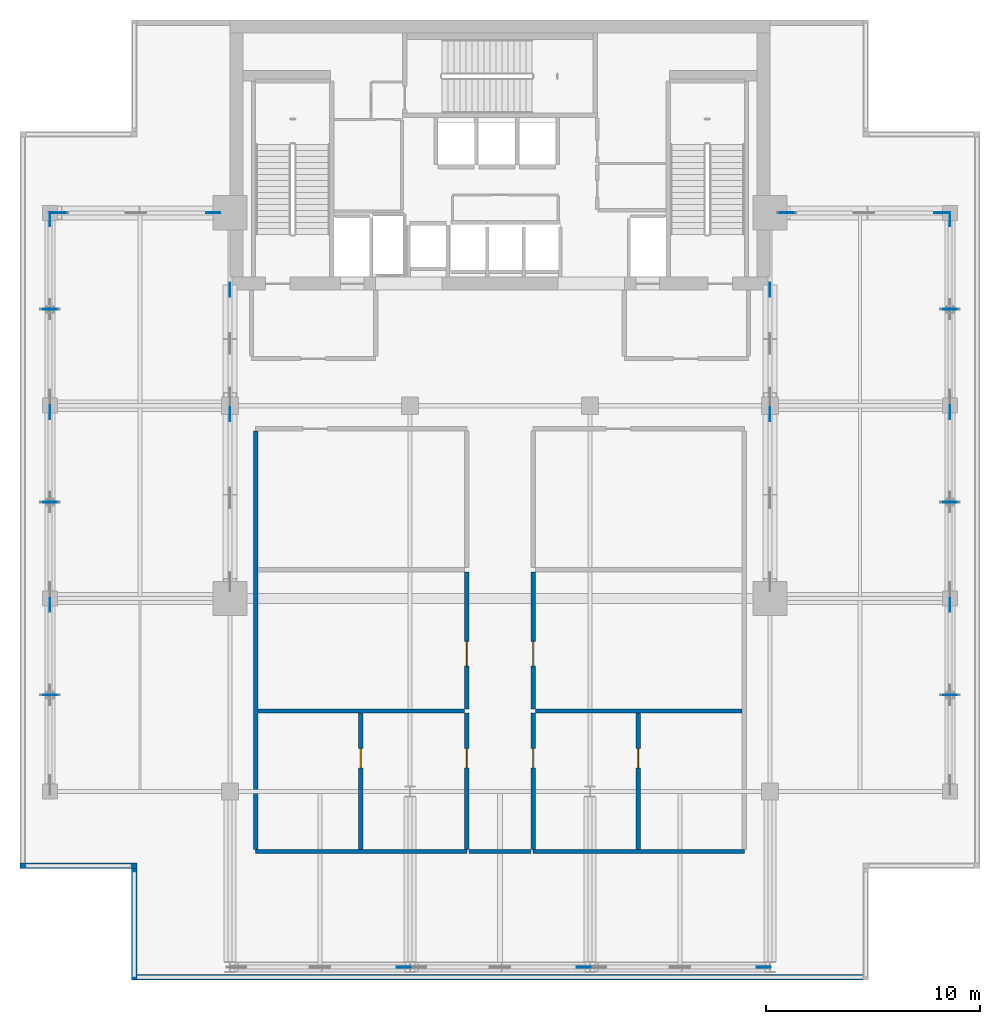
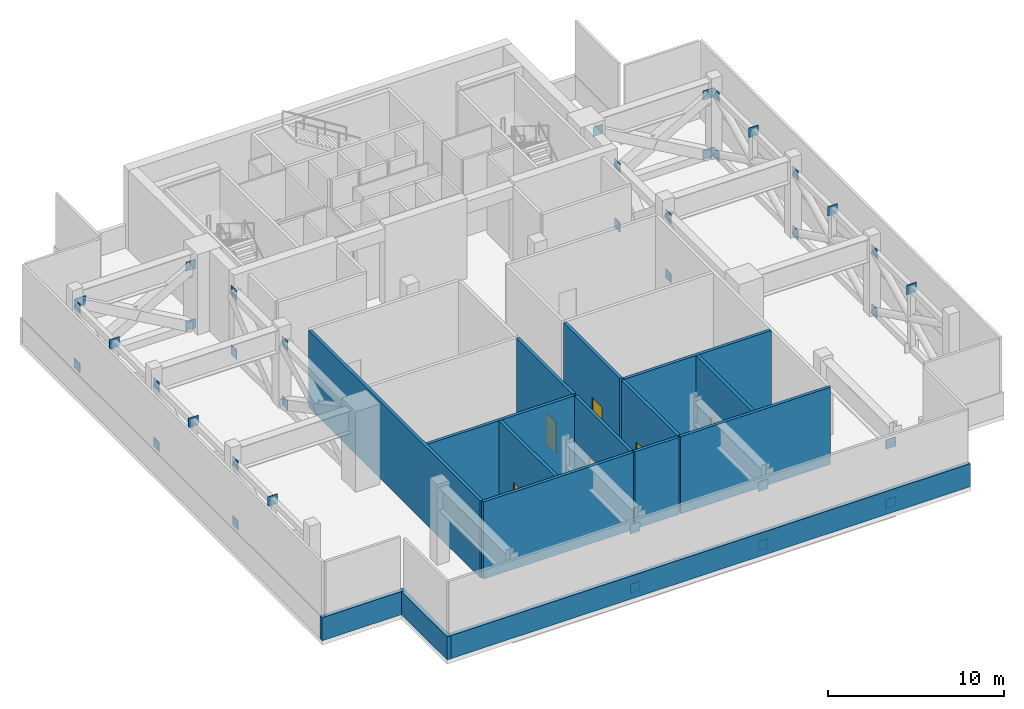
# One storey, part 5 of 11: 38 plates, 15 walls, 6 doors, 6 openings.
"""IFC4 building model written with IfcOpenShell, lengths in metres."""

from ifc_helpers import new_model, si_unit, direction, frame, frame_2d, origin, origin_2d, place, context, subcontext, project, spatial, rectangle, extrude, material, layer, layer_set, type_object, element, fill, save


model = new_model("IFC4")

# Units and contexts
model_context = context("Model", 3, precision=1e-05, world=origin(), true_north=direction((0.0, 1.0)))
body_context = subcontext(model_context, "Body", "Model", "MODEL_VIEW")
ifc_project = project(units=[si_unit("LENGTHUNIT", "METRE"), si_unit("AREAUNIT", "SQUARE_METRE"), si_unit("VOLUMEUNIT", "CUBIC_METRE"), si_unit("PLANEANGLEUNIT", "RADIAN"), si_unit("MASSUNIT", "GRAM", prefix="KILO")], contexts=[model_context])

# Site, building, storey
site_placement = place(None, origin())
site = spatial("IfcSite", under=ifc_project, at=site_placement, CompositionType="ELEMENT")
building_placement = place(site_placement, origin())
building = spatial("IfcBuilding", under=site, at=building_placement, Name="Maruvema Waterfront Hotel and Observation Tower", CompositionType="ELEMENT")
storey_placement = place(building_placement, frame((0.0, 0.0, 316.39990234375)))
storey = spatial("IfcBuildingStorey", under=building, at=storey_placement, Name="L78", CompositionType="ELEMENT", Elevation=316.39990234375)

# Plates
ifc_material_1 = material(Name="Steel ABNT NBR 7007 AR 415 (ASTM A572 Grade 50)", Category="steel")
ifc_layer_1 = layer(ifc_material_1, 0.034912109375, Name="Hollow Section Sealed End Cap Plate 35 mm")
ifc_layer_set_1 = layer_set([ifc_layer_1], Name="Steel ABNT NBR 7007 AR 415 (ASTM A572 Grade 50)")
plate_type = type_object("IfcPlateType", Name="Hollow Section Sealed End Cap Plate 35 mm", PredefinedType="USERDEFINED", material=ifc_layer_set_1)
for number, where, z_axis, x_axis, name in (
    (1, (25.199951171875, 35.60009765625, -0.074951171875), (0.0, 0.0, 1.0), (0.0, 1.0, 0.0), "L78 Outrigger Truss Bottom Chord W1 Node Plate 2"),
    (2, (25.199951171875, 35.60009765625, 4.05517578125), (0.0, 0.0, 1.0), (0.0, 1.0, 0.0), "L78 Outrigger Truss Top Chord W1 Node Plate 2"),
    (3, (25.199951171875, 41.419921875, -0.074951171875), (0.0, 0.0, 1.0), (0.0, 1.0, 0.0), "L78 Outrigger Truss Bottom Chord W2 Node Plate 2"),
    (4, (25.199951171875, 41.419921875, 4.05517578125), (0.0, 0.0, 1.0), (0.0, 1.0, 0.0), "L78 Outrigger Truss Top Chord W2 Node Plate 2"),
    (5, (50.39990234375, 35.60009765625, -0.074951171875), (0.0, 0.0, 1.0), (0.0, 1.0, 0.0), "L78 Outrigger Truss Bottom Chord E1 Node Plate 2"),
    (6, (50.39990234375, 35.60009765625, 4.05517578125), (0.0, 0.0, 1.0), (0.0, 1.0, 0.0), "L78 Outrigger Truss Top Chord E1 Node Plate 2"),
    (7, (50.39990234375, 41.419921875, -0.074951171875), (0.0, 0.0, 1.0), (0.0, 1.0, 0.0), "L78 Outrigger Truss Bottom Chord E2 Node Plate 2"),
    (8, (50.39990234375, 41.419921875, 4.05517578125), (0.0, 0.0, 1.0), (0.0, 1.0, 0.0), "L78 Outrigger Truss Top Chord E2 Node Plate 2"),
    (9, (24.419921875, 45.0, -0.074951171875), (0.0, 0.0, 1.0), (1.0, 0.0, 0.0), "L78 Outrigger Wing Bottom Chord W1 Node Plate 2"),
    (10, (24.419921875, 45.0, 4.05517578125), (0.0, 0.0, 1.0), (1.0, 0.0, 0.0), "L78 Outrigger Wing Diagonal W1 Continuous A Node Plate 2"),
    (11, (17.199951171875, 45.0, 4.05517578125), (0.0, 0.0, 1.0), (-1.0, 0.0, 0.0), "L78 Outrigger Wing Diagonal W1 Split Upper B2 Node Plate 2"),
    (12, (58.39990234375, 45.0, -0.074951171875), (0.0, 0.0, 1.0), (1.0, 0.0, 0.0), "L78 Outrigger Wing Bottom Chord E1 Node Plate 2"),
    (13, (58.39990234375, 45.0, 4.05517578125), (0.0, 0.0, 1.0), (1.0, 0.0, 0.0), "L78 Outrigger Wing Diagonal E1 Continuous A Node Plate 2"),
    (14, (51.179931640625, 45.0, 4.05517578125), (0.0, 0.0, 1.0), (-1.0, 0.0, 0.0), "L78 Outrigger Wing Diagonal E1 Split Upper B2 Node Plate 2"),
    (15, (16.800048828125, 26.699951171875, -0.074951171875), (0.0, 0.0, 1.0), (0.0, 1.0, 0.0), "L78 Perimeter Belt Truss Chord W1 Node Plate 2"),
    (16, (16.800048828125, 26.699951171875, 4.05517578125), (0.0, 0.0, 1.0), (0.0, 1.0, 0.0), "L78 Perimeter Belt Truss Top Chord W1 Node Plate 2"),
    (17, (16.800048828125, 22.5, 4.05517578125), (0.0, 0.0, 1.0), (1.0, 0.0, 0.0), "L78 Perimeter Belt Truss Post W1 Node Plate 2"),
    (18, (16.800048828125, 35.699951171875, -0.074951171875), (0.0, 0.0, 1.0), (0.0, 1.0, 0.0), "L78 Perimeter Belt Truss Chord W2 Node Plate 2"),
    (19, (16.800048828125, 35.699951171875, 4.05517578125), (0.0, 0.0, 1.0), (0.0, 1.0, 0.0), "L78 Perimeter Belt Truss Top Chord W2 Node Plate 2"),
    (20, (16.800048828125, 31.5, 4.05517578125), (0.0, 0.0, 1.0), (1.0, 0.0, 0.0), "L78 Perimeter Belt Truss Post W2 Node Plate 2"),
    (21, (16.800048828125, 44.699951171875, -0.074951171875), (0.0, 0.0, 1.0), (0.0, 1.0, 0.0), "L78 Perimeter Belt Truss Chord W3 Node Plate 2"),
    (22, (16.800048828125, 44.699951171875, 4.05517578125), (0.0, 0.0, 1.0), (0.0, 1.0, 0.0), "L78 Perimeter Belt Truss Top Chord W3 Node Plate 2"),
    (23, (16.800048828125, 40.5, 4.05517578125), (0.0, 0.0, 1.0), (1.0, 0.0, 0.0), "L78 Perimeter Belt Truss Post W3 Node Plate 2"),
    (24, (58.800048828125, 26.699951171875, -0.074951171875), (0.0, 0.0, 1.0), (0.0, 1.0, 0.0), "L78 Perimeter Belt Truss Chord E4 Node Plate 2"),
    (25, (58.800048828125, 26.699951171875, 4.05517578125), (0.0, 0.0, 1.0), (0.0, 1.0, 0.0), "L78 Perimeter Belt Truss Top Chord E4 Node Plate 2"),
    (26, (58.800048828125, 22.5, 4.05517578125), (0.0, 0.0, 1.0), (1.0, 0.0, 0.0), "L78 Perimeter Belt Truss Post E4 Node Plate 2"),
    (27, (58.800048828125, 35.699951171875, -0.074951171875), (0.0, 0.0, 1.0), (0.0, 1.0, 0.0), "L78 Perimeter Belt Truss Chord E5 Node Plate 2"),
    (28, (58.800048828125, 35.699951171875, 4.05517578125), (0.0, 0.0, 1.0), (0.0, 1.0, 0.0), "L78 Perimeter Belt Truss Top Chord E5 Node Plate 2"),
    (29, (58.800048828125, 31.5, 4.05517578125), (0.0, 0.0, 1.0), (1.0, 0.0, 0.0), "L78 Perimeter Belt Truss Post E5 Node Plate 2"),
    (30, (58.800048828125, 44.699951171875, -0.074951171875), (0.0, 0.0, 1.0), (0.0, 1.0, 0.0), "L78 Perimeter Belt Truss Chord E6 Node Plate 2"),
    (31, (58.800048828125, 44.699951171875, 4.05517578125), (0.0, 0.0, 1.0), (0.0, 1.0, 0.0), "L78 Perimeter Belt Truss Top Chord E6 Node Plate 2"),
    (32, (58.800048828125, 40.5, 4.05517578125), (0.0, 0.0, 1.0), (1.0, 0.0, 0.0), "L78 Perimeter Belt Truss Post E6 Node Plate 2"),
    (33, (33.300048828125, 9.800048828125, -0.074951171875), (0.0, 0.0, 1.0), (1.0, 0.0, 0.0), "L78 South Perimeter Belt Truss Chord 1 Node Plate 2"),
    (34, (33.300048828125, 9.800048828125, 4.05517578125), (0.0, 0.0, 1.0), (1.0, 0.0, 0.0), "L78 South Perimeter Belt Truss Top Chord 1 Node Plate 2"),
    (35, (41.699951171875, 9.800048828125, -0.074951171875), (0.0, 0.0, 1.0), (1.0, 0.0, 0.0), "L78 South Perimeter Belt Truss Chord 2 Node Plate 2"),
    (36, (41.699951171875, 9.800048828125, 4.05517578125), (0.0, 0.0, 1.0), (1.0, 0.0, 0.0), "L78 South Perimeter Belt Truss Top Chord 2 Node Plate 2"),
    (37, (50.10009765625, 9.800048828125, -0.074951171875), (0.0, 0.0, 1.0), (1.0, 0.0, 0.0), "L78 South Perimeter Belt Truss Chord 3 Node Plate 2"),
    (38, (50.10009765625, 9.800048828125, 4.05517578125), (0.0, 0.0, 1.0), (1.0, 0.0, 0.0), "L78 South Perimeter Belt Truss Top Chord 3 Node Plate 2"),
):
    element("IfcPlate", number, at=place(storey_placement, frame(where, z_axis=z_axis, x_axis=x_axis)), inside=storey, type_object=plate_type, Name=name, ObjectType="END_CAP_PLATE", PredefinedType="USERDEFINED", context=body_context, shape_type="SweptSolid", body=[
        extrude(rectangle(XDim=0.64990234375, YDim=0.034912109375, at=origin_2d()), origin(), (0.0, 0.0, 1.0), 0.64990234375),
    ])

# Walls
ifc_material_2 = material(Name="Precast concrete C45/55 with honed Pernambuco granite facing", Category="masonry")
ifc_layer_2 = layer(ifc_material_2, 0.260009765625, Name="Exterior Granite Clad Spandrel and Pier Wall 260 mm")
ifc_layer_set_2 = layer_set([ifc_layer_2], Name="Precast concrete C45/55 with honed Pernambuco granite facing")
wall_type_1 = type_object("IfcWallType", Name="Exterior Granite Clad Spandrel and Pier Wall 260 mm", PredefinedType="SOLIDWALL", material=ifc_layer_set_2)
wall_1_placement = place(storey_placement, frame((20.60009765625, 9.330078125, 0.0), z_axis=(0.0, 0.0, 1.0), x_axis=(1.0, 0.0, 0.0)))
element("IfcWall", 39, at=wall_1_placement, inside=storey, type_object=wall_type_1, Name="L78 Mechanical Perimeter Spandrel Wall 01", PredefinedType="SOLIDWALL", context=body_context, shape_type="SweptSolid", body=[
    extrude(rectangle(XDim=34.39990234375, YDim=0.260009765625, at=frame_2d((17.199951171875, 0.0))), origin(), (0.0, 0.0, 1.0), 1.60009765625),
])
wall_2_placement = place(storey_placement, frame((15.39990234375, 14.530029296875, 0.0), z_axis=(0.0, 0.0, 1.0), x_axis=(1.0, 0.0, 0.0)))
element("IfcWall", 40, at=wall_2_placement, inside=storey, type_object=wall_type_1, Name="L78 Mechanical Perimeter Spandrel Wall 11", PredefinedType="SOLIDWALL", context=body_context, shape_type="SweptSolid", body=[
    extrude(rectangle(XDim=5.460205078125, YDim=0.260009765625, at=frame_2d((2.72998046875, 0.0))), origin(), (0.0, 0.0, 1.0), 1.60009765625),
])
wall_3_placement = place(storey_placement, frame((20.72998046875, 14.39990234375, 0.0), z_axis=(0.0, 0.0, 1.0), x_axis=(0.0, -1.0, 0.0)))
element("IfcWall", 41, at=wall_3_placement, inside=storey, type_object=wall_type_1, Name="L78 Mechanical Perimeter Spandrel Wall 12", PredefinedType="SOLIDWALL", context=body_context, shape_type="SweptSolid", body=[
    extrude(rectangle(XDim=5.199951171875, YDim=0.260009765625, at=frame_2d((2.60009765625, 0.0))), origin(), (0.0, 0.0, 1.0), 1.60009765625),
])
ifc_material_3 = material(Name="Autoclaved cellular concrete blockwork", Category="masonry")
ifc_layer_3 = layer(ifc_material_3, 0.199951171875, Name="Fire Compartment Masonry Wall 200 mm")
ifc_layer_set_3 = layer_set([ifc_layer_3], Name="Autoclaved cellular concrete blockwork")
wall_type_2 = type_object("IfcWallType", Name="Fire Compartment Masonry Wall 200 mm", PredefinedType="PARTITIONING", material=ifc_layer_set_3)
wall_4_placement = place(storey_placement, frame((26.5, 21.75, 0.0), z_axis=(0.0, 0.0, 1.0), x_axis=(1.0, 0.0, 0.0)))
element("IfcWall", 42, at=wall_4_placement, inside=storey, type_object=wall_type_2, Name="L78 L78 West Plant Top 024", PredefinedType="PARTITIONING", context=body_context, shape_type="SweptSolid", body=[
    extrude(rectangle(XDim=9.64990234375, YDim=0.199951171875, at=frame_2d((4.824951171875, 0.0))), origin(), (0.0, 0.0, 1.0), 5.360107421875),
])
wall_5_placement = place(storey_placement, frame((26.39990234375, 15.199951171875, 0.0), z_axis=(0.0, 0.0, 1.0), x_axis=(1.0, 0.0, 0.0)))
element("IfcWall", 43, at=wall_5_placement, inside=storey, type_object=wall_type_2, Name="L78 L78 West S Wall 025", PredefinedType="PARTITIONING", context=body_context, shape_type="SweptSolid", body=[
    extrude(rectangle(XDim=9.85009765625, YDim=0.199951171875, at=frame_2d((4.925048828125, 0.0))), origin(), (0.0, 0.0, 1.0), 5.360107421875),
])
wall_6_placement = place(storey_placement, frame((26.39990234375, 15.300048828125, 0.0), z_axis=(0.0, 0.0, 1.0), x_axis=(0.0, 1.0, 0.0)))
element("IfcWall", 44, at=wall_6_placement, inside=storey, type_object=wall_type_2, Name="L78 L78 West Outer Wall 026", PredefinedType="PARTITIONING", context=body_context, shape_type="SweptSolid", body=[
    extrude(rectangle(XDim=19.52001953125, YDim=0.199951171875, at=frame_2d((9.760009765625, 0.0))), origin(), (0.0, 0.0, 1.0), 5.360107421875),
])

# Wall, opening, door
wall_7_placement = place(storey_placement, frame((36.25, 21.85009765625, 0.0), z_axis=(0.0, 0.0, 1.0), x_axis=(0.0, 1.0, 0.0)))
wall_7 = element("IfcWall", 45, at=wall_7_placement, inside=storey, type_object=wall_type_2, Name="L78 L78 West Spine Refuge 028", PredefinedType="PARTITIONING", context=body_context, shape_type="SweptSolid", body=[
    extrude(rectangle(XDim=6.39990234375, YDim=0.199951171875, at=frame_2d((3.199951171875, 0.0))), origin(), (0.0, 0.0, 1.0), 5.360107421875),
])
opening_1_placement = place(wall_7_placement, frame((2.0, 0.0, 0.0)))
opening_1 = element("IfcOpeningElement", 46, at=opening_1_placement, cuts=wall_7, Name="Opening FD-115", PredefinedType="OPENING", context=body_context, shape_type="SweptSolid", body=[
    extrude(rectangle(XDim=1.14990234375, YDim=2.14990234375, at=frame_2d((0.574951171875, 1.074951171875))), frame((0.0, 0.10986328125, 0.0), z_axis=(0.0, -1.0, 0.0), x_axis=(1.0, 0.0, 0.0)), (0.0, 0.0, 1.0), 0.219970703125),
])
ifc_material_4 = material(Name="Fire-rated galvanised steel and vision glass", Category="steel")
door_type_1 = type_object("IfcDoorType", Name="Firefighting Lobby Fire Door 1150x2150 mm", OperationType="NOTDEFINED", PredefinedType="DOOR", material=ifc_material_4)
door_1_placement = place(opening_1_placement, origin())
door_1 = element("IfcDoor", 47, at=door_1_placement, inside=storey, type_object=door_type_1, Name="L78 L78 Refuge Area South-West Door", OperationType="SINGLE_SWING_LEFT", OverallHeight=2.14990234375, OverallWidth=1.14990234375, PredefinedType="DOOR", context=body_context, shape_type="SweptSolid", body=[
    extrude(rectangle(XDim=1.14990234375, YDim=2.14990234375, at=frame_2d((0.574951171875, 1.074951171875))), frame((0.0, 0.02490234375, 0.0), z_axis=(0.0, -1.0, 0.0), x_axis=(1.0, 0.0, 0.0)), (0.0, 0.0, 1.0), 0.050048828125),
])
fill(opening_1, door_1)

wall_8_placement = place(storey_placement, frame((36.25, 15.300048828125, 0.0), z_axis=(0.0, 0.0, 1.0), x_axis=(0.0, 1.0, 0.0)))
wall_8 = element("IfcWall", 48, at=wall_8_placement, inside=storey, type_object=wall_type_2, Name="L78 L78 West Spine Plant 029", PredefinedType="PARTITIONING", context=body_context, shape_type="SweptSolid", body=[
    extrude(rectangle(XDim=6.349853515625, YDim=0.199951171875, at=frame_2d((3.1748046875, 0.0))), origin(), (0.0, 0.0, 1.0), 5.360107421875),
])
opening_2_placement = place(wall_8_placement, frame((3.800048828125, 0.0, 0.0)))
opening_2 = element("IfcOpeningElement", 49, at=opening_2_placement, cuts=wall_8, Name="Opening DR-090", PredefinedType="OPENING", context=body_context, shape_type="SweptSolid", body=[
    extrude(rectangle(XDim=0.89990234375, YDim=2.10009765625, at=frame_2d((0.449951171875, 1.050048828125))), frame((0.0, 0.10986328125, 0.0), z_axis=(0.0, -1.0, 0.0), x_axis=(1.0, 0.0, 0.0)), (0.0, 0.0, 1.0), 0.219970703125),
])
ifc_material_5 = material(Name="Solid-core lacquered timber leaf", Category="wood")
door_type_2 = type_object("IfcDoorType", Name="Accessible Toilet and Room Door 900x2100 mm", OperationType="NOTDEFINED", PredefinedType="DOOR", material=ifc_material_5)
door_2_placement = place(opening_2_placement, origin())
door_2 = element("IfcDoor", 50, at=door_2_placement, inside=storey, type_object=door_type_2, Name="L78 L78 West Spine Plant Door", OperationType="SINGLE_SWING_RIGHT", OverallHeight=2.10009765625, OverallWidth=0.89990234375, PredefinedType="DOOR", context=body_context, shape_type="SweptSolid", body=[
    extrude(rectangle(XDim=0.89990234375, YDim=2.10009765625, at=frame_2d((0.449951171875, 1.050048828125))), frame((0.0, 0.02490234375, 0.0), z_axis=(0.0, -1.0, 0.0), x_axis=(1.0, 0.0, 0.0)), (0.0, 0.0, 1.0), 0.050048828125),
])
fill(opening_2, door_2)

wall_9_placement = place(storey_placement, frame((31.300048828125, 15.300048828125, 0.0), z_axis=(0.0, 0.0, 1.0), x_axis=(0.0, 1.0, 0.0)))
wall_9 = element("IfcWall", 51, at=wall_9_placement, inside=storey, type_object=wall_type_2, Name="L78 L78 West Mid Plant 030", PredefinedType="PARTITIONING", context=body_context, shape_type="SweptSolid", body=[
    extrude(rectangle(XDim=6.349853515625, YDim=0.199951171875, at=frame_2d((3.1748046875, 0.0))), origin(), (0.0, 0.0, 1.0), 5.360107421875),
])
opening_3_placement = place(wall_9_placement, frame((3.800048828125, 0.0, 0.0)))
opening_3 = element("IfcOpeningElement", 52, at=opening_3_placement, cuts=wall_9, Name="Opening DR-090", PredefinedType="OPENING", context=body_context, shape_type="SweptSolid", body=[
    extrude(rectangle(XDim=0.89990234375, YDim=2.10009765625, at=frame_2d((0.449951171875, 1.050048828125))), frame((0.0, 0.10986328125, 0.0), z_axis=(0.0, -1.0, 0.0), x_axis=(1.0, 0.0, 0.0)), (0.0, 0.0, 1.0), 0.219970703125),
])
door_3_placement = place(opening_3_placement, origin())
door_3 = element("IfcDoor", 53, at=door_3_placement, inside=storey, type_object=door_type_2, Name="L78 L78 West Outer Plant Door", OperationType="SINGLE_SWING_LEFT", OverallHeight=2.10009765625, OverallWidth=0.89990234375, PredefinedType="DOOR", context=body_context, shape_type="SweptSolid", body=[
    extrude(rectangle(XDim=0.89990234375, YDim=2.10009765625, at=frame_2d((0.449951171875, 1.050048828125))), frame((0.0, 0.02490234375, 0.0), z_axis=(0.0, -1.0, 0.0), x_axis=(1.0, 0.0, 0.0)), (0.0, 0.0, 1.0), 0.050048828125),
])
fill(opening_3, door_3)

# Walls
wall_10_placement = place(storey_placement, frame((39.449951171875, 21.75, 0.0), z_axis=(0.0, 0.0, 1.0), x_axis=(1.0, 0.0, 0.0)))
element("IfcWall", 54, at=wall_10_placement, inside=storey, type_object=wall_type_2, Name="L78 L78 East Plant Top 033", PredefinedType="PARTITIONING", context=body_context, shape_type="SweptSolid", body=[
    extrude(rectangle(XDim=9.650146484375, YDim=0.199951171875, at=frame_2d((4.8251953125, 0.0))), origin(), (0.0, 0.0, 1.0), 5.360107421875),
])
wall_11_placement = place(storey_placement, frame((39.35009765625, 15.199951171875, 0.0), z_axis=(0.0, 0.0, 1.0), x_axis=(1.0, 0.0, 0.0)))
element("IfcWall", 55, at=wall_11_placement, inside=storey, type_object=wall_type_2, Name="L78 L78 East S Wall 034", PredefinedType="PARTITIONING", context=body_context, shape_type="SweptSolid", body=[
    extrude(rectangle(XDim=9.849853515625, YDim=0.199951171875, at=frame_2d((4.9248046875, 0.0))), origin(), (0.0, 0.0, 1.0), 5.360107421875),
])

# Wall, opening, door
wall_12_placement = place(storey_placement, frame((39.35009765625, 21.85009765625, 0.0), z_axis=(0.0, 0.0, 1.0), x_axis=(0.0, 1.0, 0.0)))
wall_12 = element("IfcWall", 56, at=wall_12_placement, inside=storey, type_object=wall_type_2, Name="L78 L78 East Spine Refuge 037", PredefinedType="PARTITIONING", context=body_context, shape_type="SweptSolid", body=[
    extrude(rectangle(XDim=6.39990234375, YDim=0.199951171875, at=frame_2d((3.199951171875, 0.0))), origin(), (0.0, 0.0, 1.0), 5.360107421875),
])
opening_4_placement = place(wall_12_placement, frame((2.0, 0.0, 0.0)))
opening_4 = element("IfcOpeningElement", 57, at=opening_4_placement, cuts=wall_12, Name="Opening FD-115", PredefinedType="OPENING", context=body_context, shape_type="SweptSolid", body=[
    extrude(rectangle(XDim=1.14990234375, YDim=2.14990234375, at=frame_2d((0.574951171875, 1.074951171875))), frame((0.0, 0.10986328125, 0.0), z_axis=(0.0, -1.0, 0.0), x_axis=(1.0, 0.0, 0.0)), (0.0, 0.0, 1.0), 0.219970703125),
])
door_4_placement = place(opening_4_placement, frame((1.14990234375, 0.0, 0.0), z_axis=(0.0, 0.0, 1.0), x_axis=(-1.0, 0.0, 0.0)))
door_4 = element("IfcDoor", 58, at=door_4_placement, inside=storey, type_object=door_type_1, Name="L78 L78 Refuge Area South-East Door", OperationType="SINGLE_SWING_LEFT", OverallHeight=2.14990234375, OverallWidth=1.14990234375, PredefinedType="DOOR", context=body_context, shape_type="SweptSolid", body=[
    extrude(rectangle(XDim=1.14990234375, YDim=2.14990234375, at=frame_2d((0.574951171875, 1.074951171875))), frame((0.0, 0.02490234375, 0.0), z_axis=(0.0, -1.0, 0.0), x_axis=(1.0, 0.0, 0.0)), (0.0, 0.0, 1.0), 0.050048828125),
])
fill(opening_4, door_4)

wall_13_placement = place(storey_placement, frame((39.35009765625, 15.300048828125, 0.0), z_axis=(0.0, 0.0, 1.0), x_axis=(0.0, 1.0, 0.0)))
wall_13 = element("IfcWall", 59, at=wall_13_placement, inside=storey, type_object=wall_type_2, Name="L78 L78 East Spine Plant 038", PredefinedType="PARTITIONING", context=body_context, shape_type="SweptSolid", body=[
    extrude(rectangle(XDim=6.349853515625, YDim=0.199951171875, at=frame_2d((3.1748046875, 0.0))), origin(), (0.0, 0.0, 1.0), 5.360107421875),
])
opening_5_placement = place(wall_13_placement, frame((3.800048828125, 0.0, 0.0)))
opening_5 = element("IfcOpeningElement", 60, at=opening_5_placement, cuts=wall_13, Name="Opening DR-090", PredefinedType="OPENING", context=body_context, shape_type="SweptSolid", body=[
    extrude(rectangle(XDim=0.89990234375, YDim=2.10009765625, at=frame_2d((0.449951171875, 1.050048828125))), frame((0.0, 0.10986328125, 0.0), z_axis=(0.0, -1.0, 0.0), x_axis=(1.0, 0.0, 0.0)), (0.0, 0.0, 1.0), 0.219970703125),
])
door_5_placement = place(opening_5_placement, frame((0.89990234375, 0.0, 0.0), z_axis=(0.0, 0.0, 1.0), x_axis=(-1.0, 0.0, 0.0)))
door_5 = element("IfcDoor", 61, at=door_5_placement, inside=storey, type_object=door_type_2, Name="L78 L78 East Spine Plant Door", OperationType="SINGLE_SWING_RIGHT", OverallHeight=2.10009765625, OverallWidth=0.89990234375, PredefinedType="DOOR", context=body_context, shape_type="SweptSolid", body=[
    extrude(rectangle(XDim=0.89990234375, YDim=2.10009765625, at=frame_2d((0.449951171875, 1.050048828125))), frame((0.0, 0.02490234375, 0.0), z_axis=(0.0, -1.0, 0.0), x_axis=(1.0, 0.0, 0.0)), (0.0, 0.0, 1.0), 0.050048828125),
])
fill(opening_5, door_5)

wall_14_placement = place(storey_placement, frame((44.25, 15.300048828125, 0.0), z_axis=(0.0, 0.0, 1.0), x_axis=(0.0, 1.0, 0.0)))
wall_14 = element("IfcWall", 62, at=wall_14_placement, inside=storey, type_object=wall_type_2, Name="L78 L78 East Mid Plant 039", PredefinedType="PARTITIONING", context=body_context, shape_type="SweptSolid", body=[
    extrude(rectangle(XDim=6.349853515625, YDim=0.199951171875, at=frame_2d((3.1748046875, 0.0))), origin(), (0.0, 0.0, 1.0), 5.360107421875),
])
opening_6_placement = place(wall_14_placement, frame((3.800048828125, 0.0, 0.0)))
opening_6 = element("IfcOpeningElement", 63, at=opening_6_placement, cuts=wall_14, Name="Opening DR-090", PredefinedType="OPENING", context=body_context, shape_type="SweptSolid", body=[
    extrude(rectangle(XDim=0.89990234375, YDim=2.10009765625, at=frame_2d((0.449951171875, 1.050048828125))), frame((0.0, 0.10986328125, 0.0), z_axis=(0.0, -1.0, 0.0), x_axis=(1.0, 0.0, 0.0)), (0.0, 0.0, 1.0), 0.219970703125),
])
door_6_placement = place(opening_6_placement, frame((0.89990234375, 0.0, 0.0), z_axis=(0.0, 0.0, 1.0), x_axis=(-1.0, 0.0, 0.0)))
door_6 = element("IfcDoor", 64, at=door_6_placement, inside=storey, type_object=door_type_2, Name="L78 L78 East Outer Plant Door", OperationType="SINGLE_SWING_LEFT", OverallHeight=2.10009765625, OverallWidth=0.89990234375, PredefinedType="DOOR", context=body_context, shape_type="SweptSolid", body=[
    extrude(rectangle(XDim=0.89990234375, YDim=2.10009765625, at=frame_2d((0.449951171875, 1.050048828125))), frame((0.0, 0.02490234375, 0.0), z_axis=(0.0, -1.0, 0.0), x_axis=(1.0, 0.0, 0.0)), (0.0, 0.0, 1.0), 0.050048828125),
])
fill(opening_6, door_6)

# Wall
wall_15_placement = place(storey_placement, frame((36.35009765625, 15.199951171875, 0.0), z_axis=(0.0, 0.0, 1.0), x_axis=(1.0, 0.0, 0.0)))
element("IfcWall", 65, at=wall_15_placement, inside=storey, type_object=wall_type_2, Name="L78 L78 Spine South End 040", PredefinedType="PARTITIONING", context=body_context, shape_type="SweptSolid", body=[
    extrude(rectangle(XDim=2.89990234375, YDim=0.199951171875, at=frame_2d((1.449951171875, 0.0))), origin(), (0.0, 0.0, 1.0), 5.360107421875),
])

save(model, "model.ifc")
